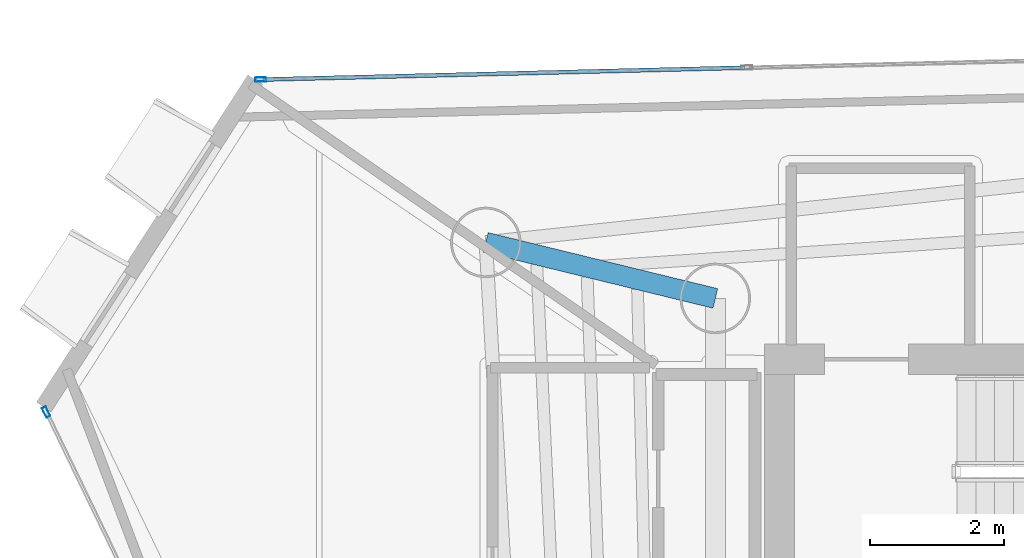
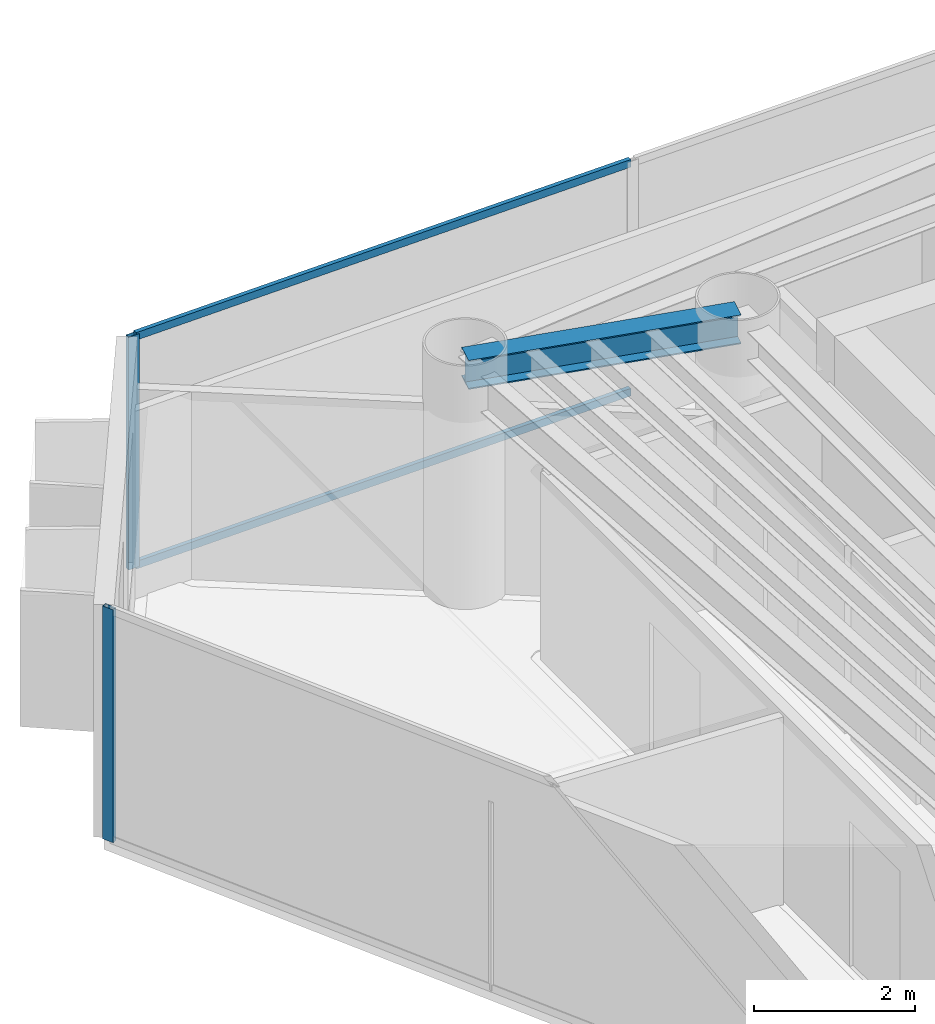
# One storey, part 8 of 20: 4 members, 1 beam, 2 elements without a shape of their own.
"""IFC4 building model written with IfcOpenShell, lengths in metres."""

from ifc_helpers import new_model, si_unit, direction, frame, origin, origin_2d, place, context, subcontext, project, spatial, hollow_rectangle, i_section, extrude, material, layer, layer_set, material_profile, profile_set, type_object, element, aggregate, save


model = new_model("IFC4")

# Units and contexts
model_context = context("Model", 3, precision=1e-05, world=origin(), true_north=direction((0.0, 1.0)))
body_context = subcontext(model_context, "Body", "Model", "MODEL_VIEW")
ifc_project = project(units=[si_unit("LENGTHUNIT", "METRE"), si_unit("AREAUNIT", "SQUARE_METRE"), si_unit("VOLUMEUNIT", "CUBIC_METRE"), si_unit("PLANEANGLEUNIT", "RADIAN"), si_unit("MASSUNIT", "GRAM", prefix="KILO")], contexts=[model_context])

# Site, building, storey
site_placement = place(None, origin())
site = spatial("IfcSite", under=ifc_project, at=site_placement, CompositionType="ELEMENT")
building_placement = place(site_placement, origin())
building = spatial("IfcBuilding", under=site, at=building_placement, Name="Qianvela Tower", CompositionType="ELEMENT")
storey_placement = place(building_placement, frame((0.0, 0.0, 257.5)))
storey = spatial("IfcBuildingStorey", under=building, at=storey_placement, Name="L66", CompositionType="ELEMENT", Elevation=257.5)

# Beam
ifc_material_1 = material(Name="Steel Q355B", Category="steel")
ifc_material_profile_1 = material_profile(ifc_material_1, i_section(OverallWidth=0.300048828125, OverallDepth=0.43994140625, WebThickness=0.010986328125, FlangeThickness=0.01806640625, at=origin_2d()), Name="HM440x300x11x18")
ifc_profile_set_1 = profile_set([ifc_material_profile_1], Name="Steel Q355B")
beam_type = type_object("IfcBeamType", Name="BM-HM440-COLL", PredefinedType="BEAM", material=ifc_profile_set_1)
beam_placement = place(storey_placement, frame((28.60009765625, 33.550048828125, 3.298095703125), z_axis=(-0.971502414323, 0.237029658405, 0.0), x_axis=(-0.237029658405, -0.971502414323, 0.0)))
element("IfcBeam", 1, at=beam_placement, inside=storey, type_object=beam_type, Name="L66 Radial Primary Floor Girder 3", PredefinedType="BEAM", context=body_context, shape_type="SweptSolid", body=[
    extrude(i_section(OverallWidth=0.300048828125, OverallDepth=0.43994140625, WebThickness=0.010986328125, FlangeThickness=0.01806640625, at=origin_2d()), origin(), (0.0, 0.0, 1.0), 3.5185546875),
])

# Curtain wall, member
ifc_material_2 = material(Name="Anodised Architectural Aluminium and Low-E Glass", Category="aluminium")
ifc_layer = layer(ifc_material_2, 0.159912109375)
ifc_layer_set = layer_set([ifc_layer], Name="Anodised Architectural Aluminium and Low-E Glass")
curtain_wall_type = type_object("IfcCurtainWallType", Name="CW-COLIV-Z56", PredefinedType="USERDEFINED", material=ifc_layer_set)
curtain_wall_1_placement = place(storey_placement, origin())
curtain_wall_1 = element("IfcCurtainWall", 2, at=curtain_wall_1_placement, inside=storey, type_object=curtain_wall_type, Name="L66 CW-COLIV-Z56 Curtain Wall 02C", ObjectType="CURTAIN_WALL_SYSTEM", PredefinedType="USERDEFINED")
ifc_material_3 = material(Name="Anodised Architectural Aluminium 6063-T6", Category="aluminium")
ifc_material_profile_2 = material_profile(ifc_material_3, hollow_rectangle(XDim=0.06494140625, YDim=0.159912109375, WallThickness=0.0048828125, at=origin_2d()), Name="ALU-MULL-65x160")
ifc_profile_set_2 = profile_set([ifc_material_profile_2], Name="Anodised Architectural Aluminium 6063-T6")
member_type_1 = type_object("IfcMemberType", Name="CW-COLIV-Z56-MULL", PredefinedType="MULLION", material=ifc_profile_set_2)
member_1_placement = place(storey_placement, frame((21.829345703125, 36.809326171875, 0.0), z_axis=(0.0, 0.0, 1.0), x_axis=(0.024558071614, -0.99969840508, 0.0)))
member_1 = element("IfcMember", 3, at=member_1_placement, type_object=member_type_1, Name="CW-5 mullion 3", PredefinedType="MULLION", context=body_context, shape_type="SweptSolid", body=[
    extrude(hollow_rectangle(XDim=0.06494140625, YDim=0.159912109375, WallThickness=0.0048828125, at=origin_2d()), origin(), (0.0, 0.0, 1.0), 3.52001953125),
])

curtain_wall_2_placement = place(storey_placement, origin())
curtain_wall_2 = element("IfcCurtainWall", 4, at=curtain_wall_2_placement, inside=storey, type_object=curtain_wall_type, Name="L66 CW-COLIV-Z56 Curtain Wall 04A", ObjectType="CURTAIN_WALL_SYSTEM", PredefinedType="USERDEFINED")
member_2_placement = place(storey_placement, frame((18.634521484375, 31.85791015625, 0.0), z_axis=(0.0, 0.0, 1.0), x_axis=(0.900620181938, 0.434607049973, 0.0)))
member_2 = element("IfcMember", 5, at=member_2_placement, type_object=member_type_1, Name="CW-5 mullion 1", PredefinedType="MULLION", context=body_context, shape_type="SweptSolid", body=[
    extrude(hollow_rectangle(XDim=0.06494140625, YDim=0.159912109375, WallThickness=0.0048828125, at=origin_2d()), origin(), (0.0, 0.0, 1.0), 3.52001953125),
])
aggregate(curtain_wall_2, [member_2])

# Member
ifc_material_4 = material(Name="Anodised Architectural Aluminium 6063-T6", Category="aluminium")
ifc_material_profile_3 = material_profile(ifc_material_4, hollow_rectangle(XDim=0.06005859375, YDim=0.114990234375, WallThickness=0.00390625, at=origin_2d()), Name="ALU-TRAN-60x115")
ifc_profile_set_3 = profile_set([ifc_material_profile_3], Name="Anodised Architectural Aluminium 6063-T6")
member_type_2 = type_object("IfcMemberType", Name="CW-COLIV-Z56-TRAN", PredefinedType="USERDEFINED", material=ifc_profile_set_3)
member_3_placement = place(storey_placement, frame((29.03662109375, 36.986328125, 0.030029296875), z_axis=(-0.9996983469, -0.024560439855, 0.0), x_axis=(0.024560439855, -0.9996983469, 0.0)))
member_3 = element("IfcMember", 6, at=member_3_placement, type_object=member_type_2, Name="CW-5 transom 2.1", ObjectType="TRANSOM", PredefinedType="USERDEFINED", context=body_context, shape_type="SweptSolid", body=[
    extrude(hollow_rectangle(XDim=0.06005859375, YDim=0.114990234375, WallThickness=0.00390625, at=origin_2d()), origin(), (0.0, 0.0, 1.0), 7.177001953125),
])

member_4_placement = place(storey_placement, frame((29.03662109375, 36.986328125, 3.489990234375), z_axis=(-0.9996983469, -0.024560439855, 0.0), x_axis=(0.024560439855, -0.9996983469, 0.0)))
member_4 = element("IfcMember", 7, at=member_4_placement, type_object=member_type_2, Name="CW-5 transom 2.2", ObjectType="TRANSOM", PredefinedType="USERDEFINED", context=body_context, shape_type="SweptSolid", body=[
    extrude(hollow_rectangle(XDim=0.06005859375, YDim=0.114990234375, WallThickness=0.00390625, at=origin_2d()), origin(), (0.0, 0.0, 1.0), 7.177001953125),
])

aggregate(curtain_wall_1, [member_1, member_3, member_4])

save(model, "model.ifc")
